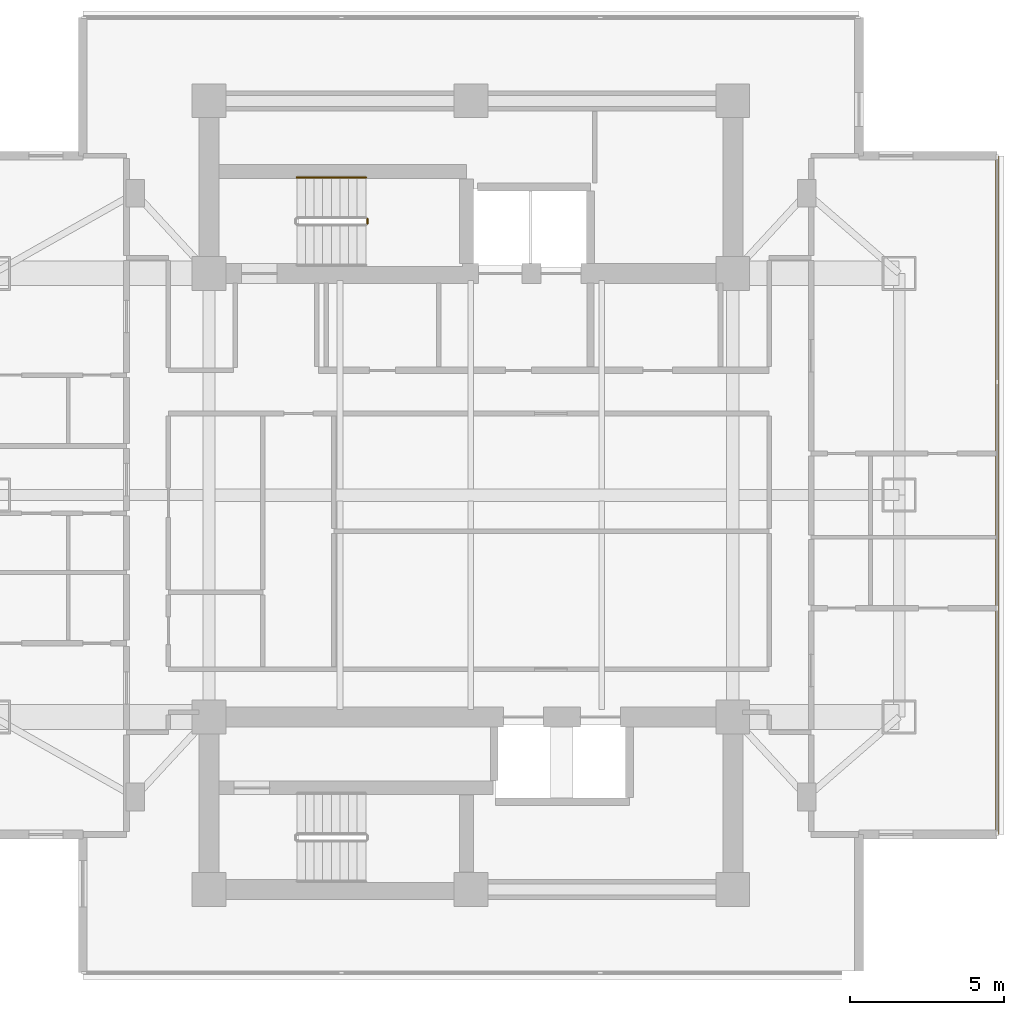
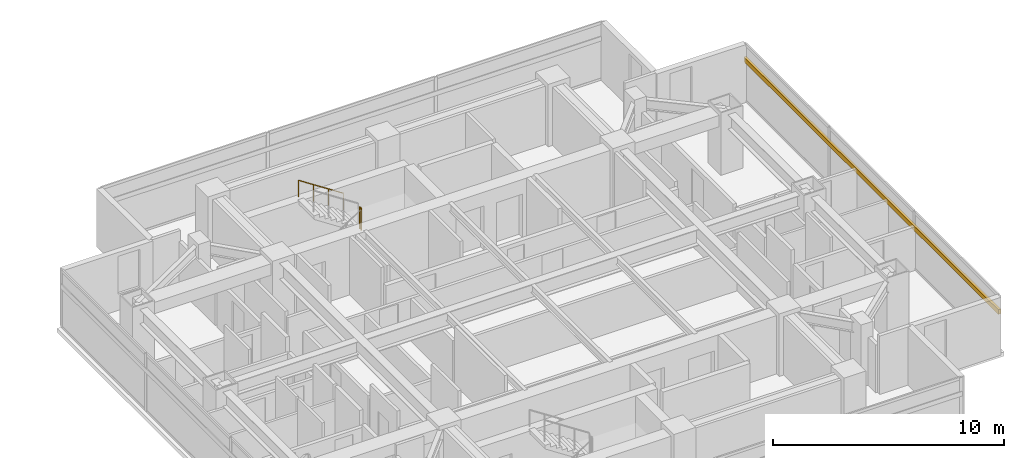
# One storey, part 25 of 26: 2 railings, 1 shading device.
"""IFC4 building model written with IfcOpenShell, lengths in metres."""

from ifc_helpers import new_model, si_unit, direction, frame, origin, origin_2d, place, context, subcontext, project, spatial, rectangle, circle, extrude, material, material_profile, profile_set, type_object, element, save


model = new_model("IFC4")

# Units and contexts
model_context = context("Model", 3, precision=1e-05, world=origin(), true_north=direction((0.0, 1.0)))
body_context = subcontext(model_context, "Body", "Model", "MODEL_VIEW")
ifc_project = project(units=[si_unit("LENGTHUNIT", "METRE"), si_unit("AREAUNIT", "SQUARE_METRE"), si_unit("VOLUMEUNIT", "CUBIC_METRE"), si_unit("PLANEANGLEUNIT", "RADIAN"), si_unit("MASSUNIT", "GRAM", prefix="KILO")], contexts=[model_context])

# Site, building, storey
site_placement = place(None, origin())
site = spatial("IfcSite", under=ifc_project, at=site_placement, CompositionType="ELEMENT")
building_placement = place(site_placement, origin())
building = spatial("IfcBuilding", under=site, at=building_placement, Name="Mirazonda Arch Towers", CompositionType="ELEMENT")
storey_placement = place(building_placement, frame((0.0, 0.0, 121.39990234375)))
storey = spatial("IfcBuildingStorey", under=building, at=storey_placement, Name="L34", CompositionType="ELEMENT", Elevation=121.39990234375)

# Shading device
ifc_material_1 = material(Name="Kiln-Fired Architectural Terracotta", Category="masonry")
ifc_material_profile = material_profile(ifc_material_1, rectangle(XDim=0.1201171875, YDim=0.239990234375, at=origin_2d()), Name="TERRA-BAG-120x240")
ifc_profile_set = profile_set([ifc_material_profile], Name="Kiln-Fired Architectural Terracotta")
shading_device_type = type_object("IfcShadingDeviceType", Name="BAGUETTE-1", PredefinedType="USERDEFINED", material=ifc_profile_set)
shading_device_placement = place(storey_placement, frame((93.5830078125, 16.984130859375, 2.203369140625), z_axis=(0.0, 1.0, 0.0), x_axis=(-1.0, 0.0, 0.0)))
element("IfcShadingDevice", 1, at=shading_device_placement, inside=storey, type_object=shading_device_type, Name="L34 Glazed Terracotta Sun-Screen Baguette CW-L34-T2-E", ObjectType="BAGUETTE", PredefinedType="USERDEFINED", context=body_context, shape_type="SweptSolid", body=[
    extrude(rectangle(XDim=0.1201171875, YDim=0.239990234375, at=origin_2d()), origin(), (0.0, 0.0, 1.0), 22.03173828125),
])

# Railings
ifc_material_2 = material(Name="Architectural Brushed Steel S355", Category="steel")
railing_type_1 = type_object("IfcRailingType", Name="GUARD-STAIR-1120", PredefinedType="GUARDRAIL", material=ifc_material_2)
railing_1_placement = place(storey_placement, frame((73.139892578125, 36.820068359375, 1.650146484375)))
element("IfcRailing", 2, at=railing_1_placement, inside=storey, type_object=railing_type_1, Name="L34 ST-T2N stair guard 2", PredefinedType="GUARDRAIL", context=body_context, shape_type="SweptSolid", body=[
    extrude(circle(Radius=0.02392578125, at=origin_2d()), frame((0.0, 0.0, 1.1259765625), z_axis=(0.0, 1.0, 0.0), x_axis=(-1.0, 0.0, 0.0)), (0.0, 0.0, 1.0), 0.139892578125),
    extrude(circle(Radius=0.02099609375, at=origin_2d()), origin(), (0.0, 0.0, 1.0), 1.101806640625),
    extrude(circle(Radius=0.02099609375, at=origin_2d()), frame((0.0, 0.139892578125, 0.0)), (0.0, 0.0, 1.0), 1.101806640625),
])
railing_type_2 = type_object("IfcRailingType", Name="HANDRAIL-915", PredefinedType="HANDRAIL", material=ifc_material_2)
railing_2_placement = place(storey_placement, frame((73.090087890625, 38.31005859375, 1.83349609375)))
element("IfcRailing", 3, at=railing_2_placement, inside=storey, type_object=railing_type_2, Name="L34 ST-T2N stair handrail 2", PredefinedType="HANDRAIL", context=body_context, shape_type="SweptSolid", body=[
    extrude(circle(Radius=0.02392578125, at=origin_2d()), frame((0.0, 0.0, 0.8759765625), z_axis=(-0.836636935527, 0.0, 0.547757827979), x_axis=(0.0, -1.0, 0.0)), (0.0, 0.0, 1.0), 2.677490234375),
    extrude(circle(Radius=0.02099609375, at=origin_2d()), origin(), (0.0, 0.0, 1.0), 0.851806640625),
    extrude(circle(Radius=0.02099609375, at=origin_2d()), frame((-0.74658203125, 0.0, 0.48876953125)), (0.0, 0.0, 1.0), 0.851806640625),
    extrude(circle(Radius=0.02099609375, at=origin_2d()), frame((-1.493408203125, 0.0, 0.977783203125)), (0.0, 0.0, 1.0), 0.851806640625),
    extrude(circle(Radius=0.02099609375, at=origin_2d()), frame((-2.239990234375, 0.0, 1.466552734375)), (0.0, 0.0, 1.0), 0.851806640625),
])

save(model, "model.ifc")
